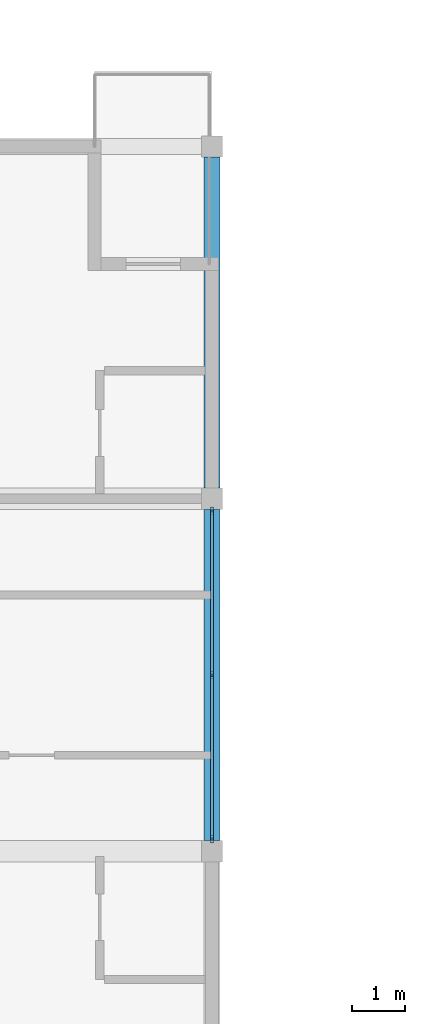
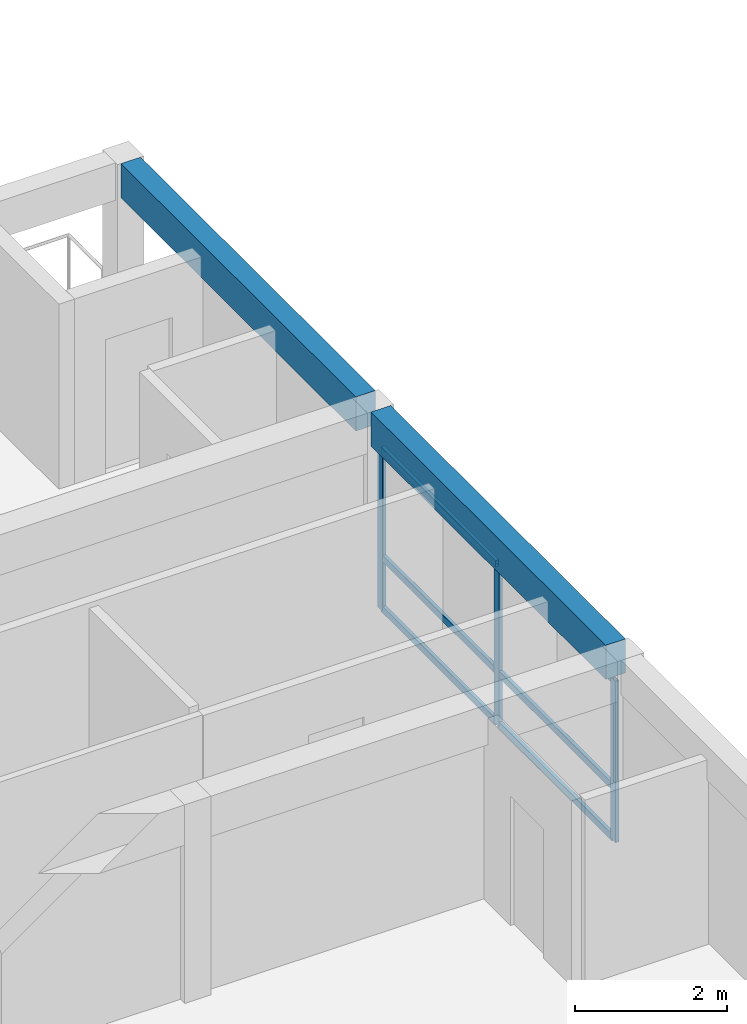
# One storey, part 6 of 15: 9 members, 2 beams, 1 element without a shape of its own.
"""IFC4 building model written with IfcOpenShell, lengths in metres."""

from ifc_helpers import new_model, si_unit, direction, frame, origin, origin_2d, place, context, subcontext, project, spatial, rectangle, hollow_rectangle, extrude, material, material_profile, profile_set, type_object, element, aggregate, save


model = new_model("IFC4")

# Units and contexts
model_context = context("Model", 3, precision=1e-05, world=origin(), true_north=direction((0.0, 1.0)))
body_context = subcontext(model_context, "Body", "Model", "MODEL_VIEW")
ifc_project = project(units=[si_unit("LENGTHUNIT", "METRE"), si_unit("AREAUNIT", "SQUARE_METRE"), si_unit("VOLUMEUNIT", "CUBIC_METRE"), si_unit("PLANEANGLEUNIT", "RADIAN"), si_unit("MASSUNIT", "GRAM", prefix="KILO")], contexts=[model_context])

# Site, building, storey
site_placement = place(None, origin())
site = spatial("IfcSite", under=ifc_project, at=site_placement, CompositionType="ELEMENT")
building_placement = place(site_placement, origin())
building = spatial("IfcBuilding", under=site, at=building_placement, Name="Kernevlak Ridge Housing Community", CompositionType="ELEMENT")
storey_placement = place(building_placement, frame((0.0, 0.0, 50.0)))
storey = spatial("IfcBuildingStorey", under=building, at=storey_placement, Name="L15", CompositionType="ELEMENT", Elevation=50.0)

# Curtain wall, members
ifc_material_1 = material(Name="Aluminium EN AW-6060 anodised and laminated glass", Category="aluminium")
curtain_wall_type = type_object("IfcCurtainWallType", Name="CW-09", PredefinedType="NOTDEFINED", material=ifc_material_1)
curtain_wall_placement = place(storey_placement, origin())
curtain_wall = element("IfcCurtainWall", 1, at=curtain_wall_placement, inside=storey, type_object=curtain_wall_type, Name="Curtain wall CW-09 CW-L15-048", PredefinedType="NOTDEFINED")
ifc_material_2 = material(Name="Aluminium EN AW-6060 anodised", Category="aluminium")
ifc_material_profile_1 = material_profile(ifc_material_2, hollow_rectangle(XDim=0.054931640625, YDim=0.139892578125, WallThickness=0.00390625, InnerFilletRadius=0.001953125, OuterFilletRadius=0.00390625, at=origin_2d()), Name="ALU 55x140x4")
ifc_profile_set_1 = profile_set([ifc_material_profile_1], Name="Aluminium EN AW-6060 anodised")
member_type_1 = type_object("IfcMemberType", Name="MU-01", PredefinedType="MULLION", material=ifc_profile_set_1)
member_1_placement = place(storey_placement, frame((48.60009765625, 82.827392578125, 0.0), z_axis=(0.0, 0.0, 1.0), x_axis=(-1.0, 0.0, 0.0)))
member_1 = element("IfcMember", 2, at=member_1_placement, type_object=member_type_1, Name="CW-09 mullion 1", PredefinedType="MULLION", context=body_context, shape_type="SweptSolid", body=[
    extrude(hollow_rectangle(XDim=0.054931640625, YDim=0.139892578125, WallThickness=0.00390625, InnerFilletRadius=0.001953125, OuterFilletRadius=0.00390625, at=origin_2d()), origin(), (0.0, 0.0, 1.0), 2.60009765625),
])
member_2_placement = place(storey_placement, frame((48.60009765625, 85.89990234375, 0.0), z_axis=(0.0, 0.0, 1.0), x_axis=(-1.0, 0.0, 0.0)))
member_2 = element("IfcMember", 3, at=member_2_placement, type_object=member_type_1, Name="CW-09 mullion 2", PredefinedType="MULLION", context=body_context, shape_type="SweptSolid", body=[
    extrude(hollow_rectangle(XDim=0.054931640625, YDim=0.139892578125, WallThickness=0.00390625, InnerFilletRadius=0.001953125, OuterFilletRadius=0.00390625, at=origin_2d()), origin(), (0.0, 0.0, 1.0), 2.60009765625),
])
member_3_placement = place(storey_placement, frame((48.60009765625, 88.972412109375, 0.0), z_axis=(0.0, 0.0, 1.0), x_axis=(-1.0, 0.0, 0.0)))
member_3 = element("IfcMember", 4, at=member_3_placement, type_object=member_type_1, Name="CW-09 mullion 3", PredefinedType="MULLION", context=body_context, shape_type="SweptSolid", body=[
    extrude(hollow_rectangle(XDim=0.054931640625, YDim=0.139892578125, WallThickness=0.00390625, InnerFilletRadius=0.001953125, OuterFilletRadius=0.00390625, at=origin_2d()), origin(), (0.0, 0.0, 1.0), 2.60009765625),
])

# Beams
ifc_material_3 = material(Name="Concrete C35/45", Category="concrete")
ifc_material_profile_2 = material_profile(ifc_material_3, rectangle(XDim=0.300048828125, YDim=0.550048828125, at=origin_2d()), Name="RC 300x550")
ifc_profile_set_2 = profile_set([ifc_material_profile_2], Name="Concrete C35/45")
beam_type = type_object("IfcBeamType", Name="SP-01", PredefinedType="SPANDREL", material=ifc_profile_set_2)
beam_1_placement = place(storey_placement, frame((48.60009765625, 82.800048828125, 2.925048828125), z_axis=(0.0, 1.0, 0.0), x_axis=(-1.0, 0.0, 0.0)))
element("IfcBeam", 5, at=beam_1_placement, inside=storey, type_object=beam_type, Name="Beam SP-01 L15 471", PredefinedType="SPANDREL", context=body_context, shape_type="SweptSolid", body=[
    extrude(rectangle(XDim=0.300048828125, YDim=0.550048828125, at=origin_2d()), origin(), (0.0, 0.0, 1.0), 6.199951171875),
])
beam_2_placement = place(storey_placement, frame((48.60009765625, 89.39990234375, 2.925048828125), z_axis=(0.0, 1.0, 0.0), x_axis=(-1.0, 0.0, 0.0)))
element("IfcBeam", 6, at=beam_2_placement, inside=storey, type_object=beam_type, Name="Beam SP-01 L15 472", PredefinedType="SPANDREL", context=body_context, shape_type="SweptSolid", body=[
    extrude(rectangle(XDim=0.300048828125, YDim=0.550048828125, at=origin_2d()), origin(), (0.0, 0.0, 1.0), 6.2001953125),
])

# Member
ifc_material_profile_3 = material_profile(ifc_material_2, hollow_rectangle(XDim=0.054931640625, YDim=0.110107421875, WallThickness=0.00390625, InnerFilletRadius=0.001953125, OuterFilletRadius=0.00390625, at=origin_2d()), Name="ALU 55x110x4")
ifc_profile_set_3 = profile_set([ifc_material_profile_3], Name="Aluminium EN AW-6060 anodised")
member_type_2 = type_object("IfcMemberType", Name="TM-01", PredefinedType="USERDEFINED", material=ifc_profile_set_3)
member_4_placement = place(storey_placement, frame((48.60009765625, 82.85498046875, 0.027587890625), z_axis=(0.0, 1.0, 0.0), x_axis=(-1.0, 0.0, 0.0)))
member_4 = element("IfcMember", 7, at=member_4_placement, type_object=member_type_2, Name="CW-09 transom 1.1", ObjectType="TRANSOM", PredefinedType="USERDEFINED", context=body_context, shape_type="SweptSolid", body=[
    extrude(hollow_rectangle(XDim=0.054931640625, YDim=0.110107421875, WallThickness=0.00390625, InnerFilletRadius=0.001953125, OuterFilletRadius=0.00390625, at=origin_2d()), origin(), (0.0, 0.0, 1.0), 3.017578125),
])

member_5_placement = place(storey_placement, frame((48.60009765625, 82.85498046875, 0.85009765625), z_axis=(0.0, 1.0, 0.0), x_axis=(-1.0, 0.0, 0.0)))
member_5 = element("IfcMember", 8, at=member_5_placement, type_object=member_type_2, Name="CW-09 transom 1.2", ObjectType="TRANSOM", PredefinedType="USERDEFINED", context=body_context, shape_type="SweptSolid", body=[
    extrude(hollow_rectangle(XDim=0.054931640625, YDim=0.110107421875, WallThickness=0.00390625, InnerFilletRadius=0.001953125, OuterFilletRadius=0.00390625, at=origin_2d()), origin(), (0.0, 0.0, 1.0), 3.017578125),
])

member_6_placement = place(storey_placement, frame((48.60009765625, 82.85498046875, 2.572509765625), z_axis=(0.0, 1.0, 0.0), x_axis=(-1.0, 0.0, 0.0)))
member_6 = element("IfcMember", 9, at=member_6_placement, type_object=member_type_2, Name="CW-09 transom 1.3", ObjectType="TRANSOM", PredefinedType="USERDEFINED", context=body_context, shape_type="SweptSolid", body=[
    extrude(hollow_rectangle(XDim=0.054931640625, YDim=0.110107421875, WallThickness=0.00390625, InnerFilletRadius=0.001953125, OuterFilletRadius=0.00390625, at=origin_2d()), origin(), (0.0, 0.0, 1.0), 3.017578125),
])

member_7_placement = place(storey_placement, frame((48.60009765625, 85.927490234375, 0.027587890625), z_axis=(0.0, 1.0, 0.0), x_axis=(-1.0, 0.0, 0.0)))
member_7 = element("IfcMember", 10, at=member_7_placement, type_object=member_type_2, Name="CW-09 transom 2.1", ObjectType="TRANSOM", PredefinedType="USERDEFINED", context=body_context, shape_type="SweptSolid", body=[
    extrude(hollow_rectangle(XDim=0.054931640625, YDim=0.110107421875, WallThickness=0.00390625, InnerFilletRadius=0.001953125, OuterFilletRadius=0.00390625, at=origin_2d()), origin(), (0.0, 0.0, 1.0), 3.017578125),
])

member_8_placement = place(storey_placement, frame((48.60009765625, 85.927490234375, 0.85009765625), z_axis=(0.0, 1.0, 0.0), x_axis=(-1.0, 0.0, 0.0)))
member_8 = element("IfcMember", 11, at=member_8_placement, type_object=member_type_2, Name="CW-09 transom 2.2", ObjectType="TRANSOM", PredefinedType="USERDEFINED", context=body_context, shape_type="SweptSolid", body=[
    extrude(hollow_rectangle(XDim=0.054931640625, YDim=0.110107421875, WallThickness=0.00390625, InnerFilletRadius=0.001953125, OuterFilletRadius=0.00390625, at=origin_2d()), origin(), (0.0, 0.0, 1.0), 3.017578125),
])

member_9_placement = place(storey_placement, frame((48.60009765625, 85.927490234375, 2.572509765625), z_axis=(0.0, 1.0, 0.0), x_axis=(-1.0, 0.0, 0.0)))
member_9 = element("IfcMember", 12, at=member_9_placement, type_object=member_type_2, Name="CW-09 transom 2.3", ObjectType="TRANSOM", PredefinedType="USERDEFINED", context=body_context, shape_type="SweptSolid", body=[
    extrude(hollow_rectangle(XDim=0.054931640625, YDim=0.110107421875, WallThickness=0.00390625, InnerFilletRadius=0.001953125, OuterFilletRadius=0.00390625, at=origin_2d()), origin(), (0.0, 0.0, 1.0), 3.017578125),
])

aggregate(curtain_wall, [member_1, member_2, member_3, member_4, member_5, member_6, member_7, member_8, member_9])

save(model, "model.ifc")
